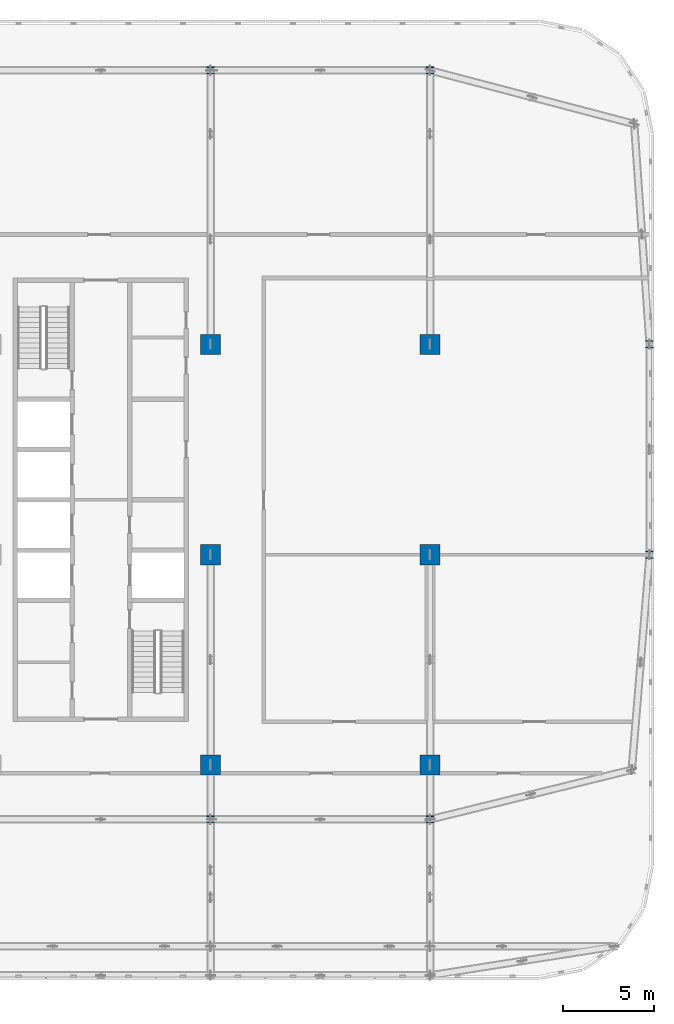
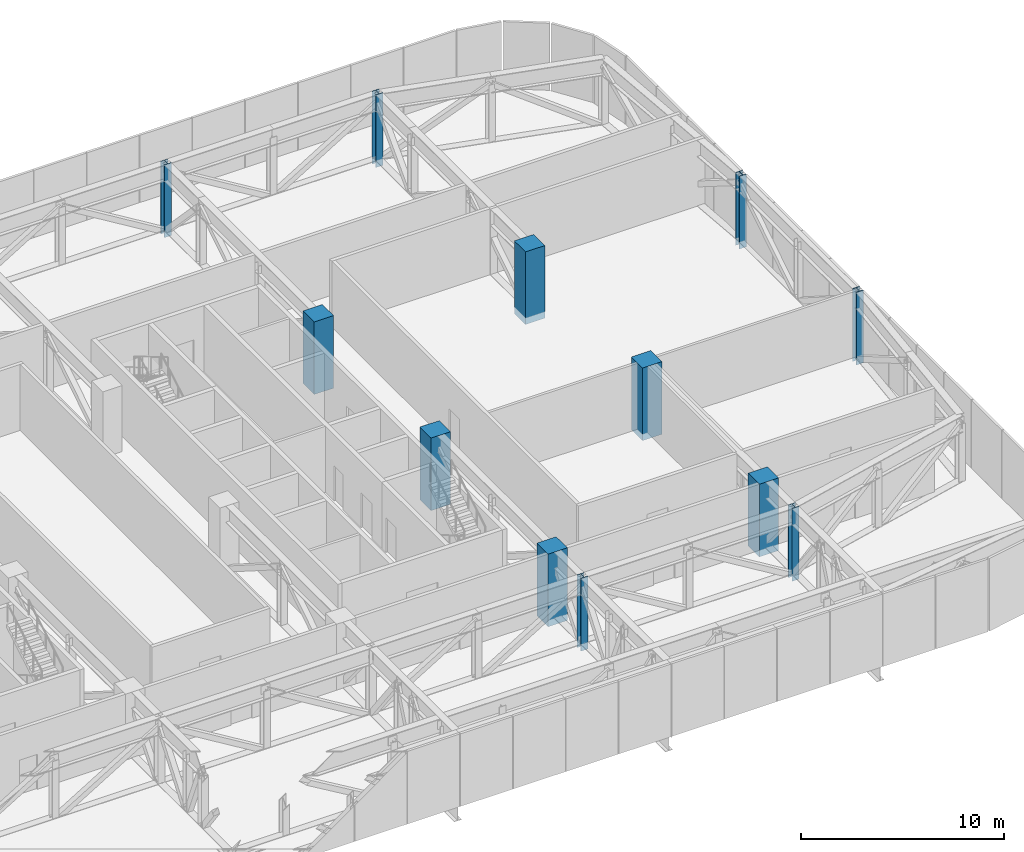
# One storey, part 3 of 28: 12 columns.
"""IFC4 building model written with IfcOpenShell, lengths in metres."""

from ifc_helpers import new_model, si_unit, direction, frame, origin, origin_2d, place, context, subcontext, project, spatial, rectangle, i_section, extrude, material, material_profile, profile_set, type_object, element, save


model = new_model("IFC4")

# Units and contexts
model_context = context("Model", 3, precision=1e-05, world=origin(), true_north=direction((0.0, 1.0)))
body_context = subcontext(model_context, "Body", "Model", "MODEL_VIEW")
ifc_project = project(units=[si_unit("LENGTHUNIT", "METRE"), si_unit("AREAUNIT", "SQUARE_METRE"), si_unit("VOLUMEUNIT", "CUBIC_METRE"), si_unit("PLANEANGLEUNIT", "RADIAN"), si_unit("MASSUNIT", "GRAM", prefix="KILO")], contexts=[model_context])

# Site, building, storey
site_placement = place(None, origin())
site = spatial("IfcSite", under=ifc_project, at=site_placement, CompositionType="ELEMENT")
building_placement = place(site_placement, origin())
building = spatial("IfcBuilding", under=site, at=building_placement, Name="Mahtab Terrace Research Tower", CompositionType="ELEMENT")
storey_placement = place(building_placement, frame((0.0, 0.0, 224.300048828125)))
storey = spatial("IfcBuildingStorey", under=building, at=storey_placement, Name="L54", CompositionType="ELEMENT", Elevation=224.300048828125)

# Columns
ifc_material_1 = material(Name="Concrete C70/85", Category="concrete")
ifc_material_profile_1 = material_profile(ifc_material_1, rectangle(XDim=1.10009765625, YDim=1.10009765625, at=origin_2d()), Name="RC column 1100x1100")
ifc_profile_set_1 = profile_set([ifc_material_profile_1], Name="Concrete C70/85")
column_type_1 = type_object("IfcColumnType", Name="RC column 1100x1100", PredefinedType="COLUMN", material=ifc_profile_set_1)
for number, where, z_axis, x_axis, name in (
    (1, (30.0, -11.5, -0.400146484375), (0.0, 0.0, 1.0), (1.0, 0.0, 0.0), "Column RC-7A L54"),
    (2, (30.0, 0.0, -0.400146484375), (0.0, 0.0, 1.0), (1.0, 0.0, 0.0), "Column RC-7B L54"),
    (3, (30.0, 11.5, -0.400146484375), (0.0, 0.0, 1.0), (1.0, 0.0, 0.0), "Column RC-7C L54"),
    (4, (42.0, -11.5, -0.400146484375), (0.0, 0.0, 1.0), (1.0, 0.0, 0.0), "Column RC-8A L54"),
    (5, (42.0, 0.0, -0.400146484375), (0.0, 0.0, 1.0), (1.0, 0.0, 0.0), "Column RC-8B L54"),
    (6, (42.0, 11.5, -0.400146484375), (0.0, 0.0, 1.0), (1.0, 0.0, 0.0), "Column RC-8C L54"),
):
    element("IfcColumn", number, at=place(storey_placement, frame(where, z_axis=z_axis, x_axis=x_axis)), inside=storey, type_object=column_type_1, Name=name, PredefinedType="COLUMN", context=body_context, shape_type="SweptSolid", body=[
        extrude(rectangle(XDim=1.10009765625, YDim=1.10009765625, at=origin_2d()), origin(), (0.0, 0.0, 1.0), 4.360107421875),
    ])
ifc_material_2 = material(Name="Steel ASTM A992 Gr 50", Category="steel")
ifc_material_profile_2 = material_profile(ifc_material_2, i_section(OverallWidth=0.398681640625, OverallDepth=0.385986328125, WebThickness=0.02099609375, FlangeThickness=0.033203125, at=origin_2d()), Name="W14X176")
ifc_profile_set_2 = profile_set([ifc_material_profile_2], Name="Steel ASTM A992 Gr 50")
column_type_2 = type_object("IfcColumnType", Name="W14x176 column CS14176", PredefinedType="COLUMN", material=ifc_profile_set_2)
for number, where, z_axis, x_axis, name in (
    (7, (42.0, 26.472900390625, -0.400146484375), (0.0, 0.0, 1.0), (1.0, 0.0, 0.0), "Column SC-053 L54"),
    (8, (30.0, 26.472900390625, -0.400146484375), (0.0, 0.0, 1.0), (1.0, 0.0, 0.0), "Column SC-054 L54"),
    (9, (30.0, -14.472900390625, -0.400146484375), (0.0, 0.0, 1.0), (1.0, 0.0, 0.0), "Column SC-067 L54"),
    (10, (42.0, -14.472900390625, -0.400146484375), (0.0, 0.0, 1.0), (1.0, 0.0, 0.0), "Column SC-068 L54"),
):
    element("IfcColumn", number, at=place(storey_placement, frame(where, z_axis=z_axis, x_axis=x_axis)), inside=storey, type_object=column_type_2, Name=name, PredefinedType="COLUMN", context=body_context, shape_type="SweptSolid", body=[
        extrude(i_section(OverallWidth=0.398681640625, OverallDepth=0.385986328125, WebThickness=0.02099609375, FlangeThickness=0.033203125, at=origin_2d()), origin(), (0.0, 0.0, 1.0), 4.360107421875),
    ])
ifc_material_profile_3 = material_profile(ifc_material_2, i_section(OverallWidth=0.4013671875, OverallDepth=0.398681640625, WebThickness=0.02490234375, FlangeThickness=0.03955078125, at=origin_2d()), Name="W14X211")
ifc_profile_set_3 = profile_set([ifc_material_profile_3], Name="Steel ASTM A992 Gr 50")
column_type_3 = type_object("IfcColumnType", Name="W14x211 column CS14211", PredefinedType="COLUMN", material=ifc_profile_set_3)
for number, where, z_axis, x_axis, name in (
    (11, (54.0, 0.0, -0.400146484375), (0.0, 0.0, 1.0), (1.0, 0.0, 0.0), "Column SC-028 L54"),
    (12, (54.0, 11.5, -0.400146484375), (0.0, 0.0, 1.0), (1.0, 0.0, 0.0), "Column SC-029 L54"),
):
    element("IfcColumn", number, at=place(storey_placement, frame(where, z_axis=z_axis, x_axis=x_axis)), inside=storey, type_object=column_type_3, Name=name, PredefinedType="COLUMN", context=body_context, shape_type="SweptSolid", body=[
        extrude(i_section(OverallWidth=0.4013671875, OverallDepth=0.398681640625, WebThickness=0.02490234375, FlangeThickness=0.03955078125, at=origin_2d()), origin(), (0.0, 0.0, 1.0), 4.360107421875),
    ])

save(model, "model.ifc")
